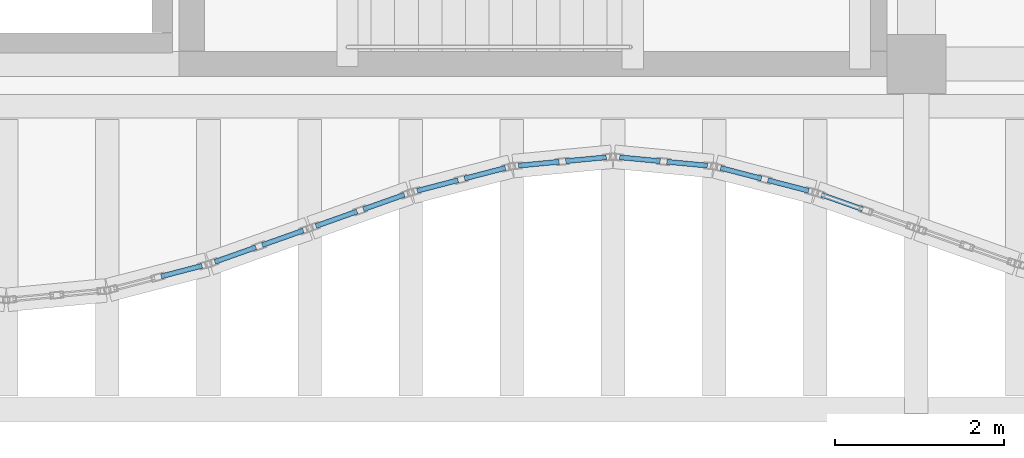
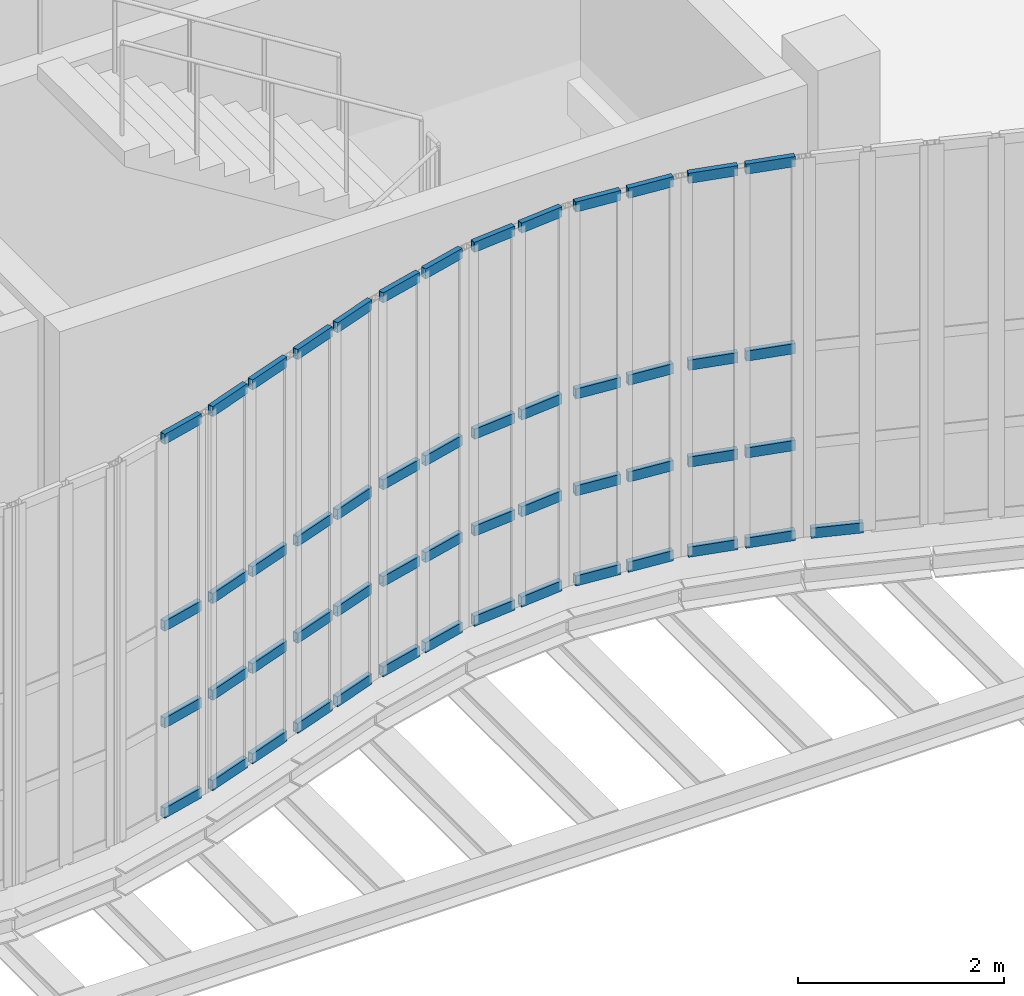
# One storey, part 62 of 108: 53 members, 8 elements without a shape of their own.
"""IFC4 building model written with IfcOpenShell, lengths in metres."""

from ifc_helpers import new_model, si_unit, direction, frame, origin, origin_2d, place, context, subcontext, project, spatial, hollow_rectangle, extrude, material, layer, layer_set, material_profile, profile_set, type_object, element, aggregate, save


model = new_model("IFC4")

# Units and contexts
model_context = context("Model", 3, precision=1e-05, world=origin(), true_north=direction((0.0, 1.0)))
body_context = subcontext(model_context, "Body", "Model", "MODEL_VIEW")
ifc_project = project(units=[si_unit("LENGTHUNIT", "METRE"), si_unit("AREAUNIT", "SQUARE_METRE"), si_unit("VOLUMEUNIT", "CUBIC_METRE"), si_unit("PLANEANGLEUNIT", "RADIAN"), si_unit("MASSUNIT", "GRAM", prefix="KILO"), si_unit("THERMODYNAMICTEMPERATUREUNIT", "KELVIN"), si_unit("POWERUNIT", "WATT")], contexts=[model_context])

# Site, building, storey
site_placement = place(None, origin())
site = spatial("IfcSite", under=ifc_project, at=site_placement, CompositionType="ELEMENT")
building_placement = place(site_placement, origin())
building = spatial("IfcBuilding", under=site, at=building_placement, Name="Kaldorven Railside Theatre", CompositionType="ELEMENT")
storey_placement = place(building_placement, frame((0.0, 0.0, 5.39990234375)))
storey = spatial("IfcBuildingStorey", under=building, at=storey_placement, Name="L01", CompositionType="ELEMENT", Elevation=5.39990234375)

# Curtain wall, members
ifc_material_1 = material(Name="Low-E laminated solar-control glass", Category="glass")
ifc_layer_1 = layer(ifc_material_1, 0.159912109375, Name="Low-E laminated solar-control glass")
ifc_layer_set_1 = layer_set([ifc_layer_1], Name="Low-E laminated solar-control glass")
curtain_wall_type_1 = type_object("IfcCurtainWallType", Name="CWT-02", PredefinedType="USERDEFINED", material=ifc_layer_set_1)
curtain_wall_1_placement = place(storey_placement, origin())
curtain_wall_1 = element("IfcCurtainWall", 1, at=curtain_wall_1_placement, inside=storey, type_object=curtain_wall_type_1, Name="Sinusoidal Fluted Curtain Wall CW-L01-S59", ObjectType="FLUTED GLAZING", PredefinedType="USERDEFINED")
ifc_material_2 = material(Name="Anodised bronze aluminium", Category="aluminium")
ifc_material_profile = material_profile(ifc_material_2, hollow_rectangle(XDim=0.06005859375, YDim=0.1201171875, WallThickness=0.0048828125, at=origin_2d()), Name="RHS 120x60x5")
ifc_profile_set = profile_set([ifc_material_profile], Name="Anodised bronze aluminium")
member_type = type_object("IfcMemberType", Name="CWT-120", PredefinedType="USERDEFINED", material=ifc_profile_set)
member_1_placement = place(storey_placement, frame((107.038818359375, 16.679443359375, 0.030029296875), z_axis=(0.967948521016, 0.251148682384, 0.0), x_axis=(-0.251148682384, 0.967948521016, 0.0)))
member_1 = element("IfcMember", 2, at=member_1_placement, type_object=member_type, Name="CW-L01-S59 transom 2.1", ObjectType="TRANSOM", PredefinedType="USERDEFINED", context=body_context, shape_type="SweptSolid", body=[
    extrude(hollow_rectangle(XDim=0.06005859375, YDim=0.1201171875, WallThickness=0.0048828125, at=origin_2d()), origin(), (0.0, 0.0, 1.0), 0.499755859375),
])
member_2_placement = place(storey_placement, frame((107.038818359375, 16.679443359375, 1.10009765625), z_axis=(0.967948521016, 0.251148682384, 0.0), x_axis=(-0.251148682384, 0.967948521016, 0.0)))
member_2 = element("IfcMember", 3, at=member_2_placement, type_object=member_type, Name="CW-L01-S59 transom 2.2", ObjectType="TRANSOM", PredefinedType="USERDEFINED", context=body_context, shape_type="SweptSolid", body=[
    extrude(hollow_rectangle(XDim=0.06005859375, YDim=0.1201171875, WallThickness=0.0048828125, at=origin_2d()), origin(), (0.0, 0.0, 1.0), 0.499755859375),
])
member_3_placement = place(storey_placement, frame((107.038818359375, 16.679443359375, 2.25), z_axis=(0.967948521016, 0.251148682384, 0.0), x_axis=(-0.251148682384, 0.967948521016, 0.0)))
member_3 = element("IfcMember", 4, at=member_3_placement, type_object=member_type, Name="CW-L01-S59 transom 2.3", ObjectType="TRANSOM", PredefinedType="USERDEFINED", context=body_context, shape_type="SweptSolid", body=[
    extrude(hollow_rectangle(XDim=0.06005859375, YDim=0.1201171875, WallThickness=0.0048828125, at=origin_2d()), origin(), (0.0, 0.0, 1.0), 0.499755859375),
])
member_4_placement = place(storey_placement, frame((107.038818359375, 16.679443359375, 4.47021484375), z_axis=(0.967948521016, 0.251148682384, 0.0), x_axis=(-0.251148682384, 0.967948521016, 0.0)))
member_4 = element("IfcMember", 5, at=member_4_placement, type_object=member_type, Name="CW-L01-S59 transom 2.4", ObjectType="TRANSOM", PredefinedType="USERDEFINED", context=body_context, shape_type="SweptSolid", body=[
    extrude(hollow_rectangle(XDim=0.06005859375, YDim=0.1201171875, WallThickness=0.0048828125, at=origin_2d()), origin(), (0.0, 0.0, 1.0), 0.499755859375),
])
aggregate(curtain_wall_1, [member_1, member_2, member_3, member_4])

ifc_layer_2 = layer(ifc_material_1, 0.159912109375, Name="Low-E laminated solar-control glass")
ifc_layer_set_2 = layer_set([ifc_layer_2], Name="Low-E laminated solar-control glass")
curtain_wall_type_2 = type_object("IfcCurtainWallType", Name="CWT-01", PredefinedType="USERDEFINED", material=ifc_layer_set_2)
curtain_wall_2_placement = place(storey_placement, origin())
curtain_wall_2 = element("IfcCurtainWall", 6, at=curtain_wall_2_placement, inside=storey, type_object=curtain_wall_type_2, Name="Sinusoidal Fluted Curtain Wall CW-L01-S60", ObjectType="FLUTED GLAZING", PredefinedType="USERDEFINED")
member_5_placement = place(storey_placement, frame((107.67529296875, 16.851806640625, 0.030029296875), z_axis=(0.942710841688, 0.333610954502, 0.0), x_axis=(-0.333610954502, 0.942710841688, 0.0)))
member_5 = element("IfcMember", 7, at=member_5_placement, type_object=member_type, Name="CW-L01-S60 transom 1.1", ObjectType="TRANSOM", PredefinedType="USERDEFINED", context=body_context, shape_type="SweptSolid", body=[
    extrude(hollow_rectangle(XDim=0.06005859375, YDim=0.1201171875, WallThickness=0.0048828125, at=origin_2d()), origin(), (0.0, 0.0, 1.0), 0.5166015625),
])
member_6_placement = place(storey_placement, frame((107.67529296875, 16.851806640625, 1.10009765625), z_axis=(0.942710841688, 0.333610954502, 0.0), x_axis=(-0.333610954502, 0.942710841688, 0.0)))
member_6 = element("IfcMember", 8, at=member_6_placement, type_object=member_type, Name="CW-L01-S60 transom 1.2", ObjectType="TRANSOM", PredefinedType="USERDEFINED", context=body_context, shape_type="SweptSolid", body=[
    extrude(hollow_rectangle(XDim=0.06005859375, YDim=0.1201171875, WallThickness=0.0048828125, at=origin_2d()), origin(), (0.0, 0.0, 1.0), 0.5166015625),
])
member_7_placement = place(storey_placement, frame((107.67529296875, 16.851806640625, 2.25), z_axis=(0.942710841688, 0.333610954502, 0.0), x_axis=(-0.333610954502, 0.942710841688, 0.0)))
member_7 = element("IfcMember", 9, at=member_7_placement, type_object=member_type, Name="CW-L01-S60 transom 1.3", ObjectType="TRANSOM", PredefinedType="USERDEFINED", context=body_context, shape_type="SweptSolid", body=[
    extrude(hollow_rectangle(XDim=0.06005859375, YDim=0.1201171875, WallThickness=0.0048828125, at=origin_2d()), origin(), (0.0, 0.0, 1.0), 0.5166015625),
])
member_8_placement = place(storey_placement, frame((107.67529296875, 16.851806640625, 4.47021484375), z_axis=(0.942710841688, 0.333610954502, 0.0), x_axis=(-0.333610954502, 0.942710841688, 0.0)))
member_8 = element("IfcMember", 10, at=member_8_placement, type_object=member_type, Name="CW-L01-S60 transom 1.4", ObjectType="TRANSOM", PredefinedType="USERDEFINED", context=body_context, shape_type="SweptSolid", body=[
    extrude(hollow_rectangle(XDim=0.06005859375, YDim=0.1201171875, WallThickness=0.0048828125, at=origin_2d()), origin(), (0.0, 0.0, 1.0), 0.5166015625),
])
member_9_placement = place(storey_placement, frame((108.23779296875, 17.05078125, 0.030029296875), z_axis=(0.942509408488, 0.334179614745, 0.0), x_axis=(-0.334179614745, 0.942509408488, 0.0)))
member_9 = element("IfcMember", 11, at=member_9_placement, type_object=member_type, Name="CW-L01-S60 transom 2.1", ObjectType="TRANSOM", PredefinedType="USERDEFINED", context=body_context, shape_type="SweptSolid", body=[
    extrude(hollow_rectangle(XDim=0.06005859375, YDim=0.1201171875, WallThickness=0.0048828125, at=origin_2d()), origin(), (0.0, 0.0, 1.0), 0.5166015625),
])
member_10_placement = place(storey_placement, frame((108.23779296875, 17.05078125, 1.10009765625), z_axis=(0.942509408488, 0.334179614745, 0.0), x_axis=(-0.334179614745, 0.942509408488, 0.0)))
member_10 = element("IfcMember", 12, at=member_10_placement, type_object=member_type, Name="CW-L01-S60 transom 2.2", ObjectType="TRANSOM", PredefinedType="USERDEFINED", context=body_context, shape_type="SweptSolid", body=[
    extrude(hollow_rectangle(XDim=0.06005859375, YDim=0.1201171875, WallThickness=0.0048828125, at=origin_2d()), origin(), (0.0, 0.0, 1.0), 0.5166015625),
])
member_11_placement = place(storey_placement, frame((108.23779296875, 17.05078125, 2.25), z_axis=(0.942509408488, 0.334179614745, 0.0), x_axis=(-0.334179614745, 0.942509408488, 0.0)))
member_11 = element("IfcMember", 13, at=member_11_placement, type_object=member_type, Name="CW-L01-S60 transom 2.3", ObjectType="TRANSOM", PredefinedType="USERDEFINED", context=body_context, shape_type="SweptSolid", body=[
    extrude(hollow_rectangle(XDim=0.06005859375, YDim=0.1201171875, WallThickness=0.0048828125, at=origin_2d()), origin(), (0.0, 0.0, 1.0), 0.5166015625),
])
member_12_placement = place(storey_placement, frame((108.23779296875, 17.05078125, 4.47021484375), z_axis=(0.942509408488, 0.334179614745, 0.0), x_axis=(-0.334179614745, 0.942509408488, 0.0)))
member_12 = element("IfcMember", 14, at=member_12_placement, type_object=member_type, Name="CW-L01-S60 transom 2.4", ObjectType="TRANSOM", PredefinedType="USERDEFINED", context=body_context, shape_type="SweptSolid", body=[
    extrude(hollow_rectangle(XDim=0.06005859375, YDim=0.1201171875, WallThickness=0.0048828125, at=origin_2d()), origin(), (0.0, 0.0, 1.0), 0.5166015625),
])
aggregate(curtain_wall_2, [member_5, member_6, member_7, member_8, member_9, member_10, member_11, member_12])

curtain_wall_3_placement = place(storey_placement, origin())
curtain_wall_3 = element("IfcCurtainWall", 15, at=curtain_wall_3_placement, inside=storey, type_object=curtain_wall_type_2, Name="Sinusoidal Fluted Curtain Wall CW-L01-S61", ObjectType="FLUTED GLAZING", PredefinedType="USERDEFINED")
member_13_placement = place(storey_placement, frame((108.87548828125, 17.276611328125, 0.030029296875), z_axis=(0.942509408488, 0.334179614745, 0.0), x_axis=(-0.334179614745, 0.942509408488, 0.0)))
member_13 = element("IfcMember", 16, at=member_13_placement, type_object=member_type, Name="CW-L01-S61 transom 1.1", ObjectType="TRANSOM", PredefinedType="USERDEFINED", context=body_context, shape_type="SweptSolid", body=[
    extrude(hollow_rectangle(XDim=0.06005859375, YDim=0.1201171875, WallThickness=0.0048828125, at=origin_2d()), origin(), (0.0, 0.0, 1.0), 0.5166015625),
])
member_14_placement = place(storey_placement, frame((108.87548828125, 17.276611328125, 1.10009765625), z_axis=(0.942509408488, 0.334179614745, 0.0), x_axis=(-0.334179614745, 0.942509408488, 0.0)))
member_14 = element("IfcMember", 17, at=member_14_placement, type_object=member_type, Name="CW-L01-S61 transom 1.2", ObjectType="TRANSOM", PredefinedType="USERDEFINED", context=body_context, shape_type="SweptSolid", body=[
    extrude(hollow_rectangle(XDim=0.06005859375, YDim=0.1201171875, WallThickness=0.0048828125, at=origin_2d()), origin(), (0.0, 0.0, 1.0), 0.5166015625),
])
member_15_placement = place(storey_placement, frame((108.87548828125, 17.276611328125, 2.25), z_axis=(0.942509408488, 0.334179614745, 0.0), x_axis=(-0.334179614745, 0.942509408488, 0.0)))
member_15 = element("IfcMember", 18, at=member_15_placement, type_object=member_type, Name="CW-L01-S61 transom 1.3", ObjectType="TRANSOM", PredefinedType="USERDEFINED", context=body_context, shape_type="SweptSolid", body=[
    extrude(hollow_rectangle(XDim=0.06005859375, YDim=0.1201171875, WallThickness=0.0048828125, at=origin_2d()), origin(), (0.0, 0.0, 1.0), 0.5166015625),
])
member_16_placement = place(storey_placement, frame((108.87548828125, 17.276611328125, 4.47021484375), z_axis=(0.942509408488, 0.334179614745, 0.0), x_axis=(-0.334179614745, 0.942509408488, 0.0)))
member_16 = element("IfcMember", 19, at=member_16_placement, type_object=member_type, Name="CW-L01-S61 transom 1.4", ObjectType="TRANSOM", PredefinedType="USERDEFINED", context=body_context, shape_type="SweptSolid", body=[
    extrude(hollow_rectangle(XDim=0.06005859375, YDim=0.1201171875, WallThickness=0.0048828125, at=origin_2d()), origin(), (0.0, 0.0, 1.0), 0.5166015625),
])
member_17_placement = place(storey_placement, frame((109.437744140625, 17.475830078125, 0.030029296875), z_axis=(0.942658214948, 0.333759628763, 0.0), x_axis=(-0.333759628763, 0.942658214948, 0.0)))
member_17 = element("IfcMember", 20, at=member_17_placement, type_object=member_type, Name="CW-L01-S61 transom 2.1", ObjectType="TRANSOM", PredefinedType="USERDEFINED", context=body_context, shape_type="SweptSolid", body=[
    extrude(hollow_rectangle(XDim=0.06005859375, YDim=0.1201171875, WallThickness=0.0048828125, at=origin_2d()), origin(), (0.0, 0.0, 1.0), 0.516357421875),
])
member_18_placement = place(storey_placement, frame((109.437744140625, 17.475830078125, 1.10009765625), z_axis=(0.942658214948, 0.333759628763, 0.0), x_axis=(-0.333759628763, 0.942658214948, 0.0)))
member_18 = element("IfcMember", 21, at=member_18_placement, type_object=member_type, Name="CW-L01-S61 transom 2.2", ObjectType="TRANSOM", PredefinedType="USERDEFINED", context=body_context, shape_type="SweptSolid", body=[
    extrude(hollow_rectangle(XDim=0.06005859375, YDim=0.1201171875, WallThickness=0.0048828125, at=origin_2d()), origin(), (0.0, 0.0, 1.0), 0.516357421875),
])
member_19_placement = place(storey_placement, frame((109.437744140625, 17.475830078125, 2.25), z_axis=(0.942658214948, 0.333759628763, 0.0), x_axis=(-0.333759628763, 0.942658214948, 0.0)))
member_19 = element("IfcMember", 22, at=member_19_placement, type_object=member_type, Name="CW-L01-S61 transom 2.3", ObjectType="TRANSOM", PredefinedType="USERDEFINED", context=body_context, shape_type="SweptSolid", body=[
    extrude(hollow_rectangle(XDim=0.06005859375, YDim=0.1201171875, WallThickness=0.0048828125, at=origin_2d()), origin(), (0.0, 0.0, 1.0), 0.516357421875),
])
member_20_placement = place(storey_placement, frame((109.437744140625, 17.475830078125, 4.47021484375), z_axis=(0.942658214948, 0.333759628763, 0.0), x_axis=(-0.333759628763, 0.942658214948, 0.0)))
member_20 = element("IfcMember", 23, at=member_20_placement, type_object=member_type, Name="CW-L01-S61 transom 2.4", ObjectType="TRANSOM", PredefinedType="USERDEFINED", context=body_context, shape_type="SweptSolid", body=[
    extrude(hollow_rectangle(XDim=0.06005859375, YDim=0.1201171875, WallThickness=0.0048828125, at=origin_2d()), origin(), (0.0, 0.0, 1.0), 0.516357421875),
])
aggregate(curtain_wall_3, [member_13, member_14, member_15, member_16, member_17, member_18, member_19, member_20])

curtain_wall_4_placement = place(storey_placement, origin())
curtain_wall_4 = element("IfcCurtainWall", 24, at=curtain_wall_4_placement, inside=storey, type_object=curtain_wall_type_1, Name="Sinusoidal Fluted Curtain Wall CW-L01-S62", ObjectType="FLUTED GLAZING", PredefinedType="USERDEFINED")
member_21_placement = place(storey_placement, frame((110.077392578125, 17.695068359375, 0.030029296875), z_axis=(0.967979318949, 0.251029954561, 0.0), x_axis=(-0.251029954561, 0.967979318949, 0.0)))
member_21 = element("IfcMember", 25, at=member_21_placement, type_object=member_type, Name="CW-L01-S62 transom 1.1", ObjectType="TRANSOM", PredefinedType="USERDEFINED", context=body_context, shape_type="SweptSolid", body=[
    extrude(hollow_rectangle(XDim=0.06005859375, YDim=0.1201171875, WallThickness=0.0048828125, at=origin_2d()), origin(), (0.0, 0.0, 1.0), 0.5),
])
member_22_placement = place(storey_placement, frame((110.077392578125, 17.695068359375, 1.10009765625), z_axis=(0.967979318949, 0.251029954561, 0.0), x_axis=(-0.251029954561, 0.967979318949, 0.0)))
member_22 = element("IfcMember", 26, at=member_22_placement, type_object=member_type, Name="CW-L01-S62 transom 1.2", ObjectType="TRANSOM", PredefinedType="USERDEFINED", context=body_context, shape_type="SweptSolid", body=[
    extrude(hollow_rectangle(XDim=0.06005859375, YDim=0.1201171875, WallThickness=0.0048828125, at=origin_2d()), origin(), (0.0, 0.0, 1.0), 0.5),
])
member_23_placement = place(storey_placement, frame((110.077392578125, 17.695068359375, 2.25), z_axis=(0.967979318949, 0.251029954561, 0.0), x_axis=(-0.251029954561, 0.967979318949, 0.0)))
member_23 = element("IfcMember", 27, at=member_23_placement, type_object=member_type, Name="CW-L01-S62 transom 1.3", ObjectType="TRANSOM", PredefinedType="USERDEFINED", context=body_context, shape_type="SweptSolid", body=[
    extrude(hollow_rectangle(XDim=0.06005859375, YDim=0.1201171875, WallThickness=0.0048828125, at=origin_2d()), origin(), (0.0, 0.0, 1.0), 0.5),
])
member_24_placement = place(storey_placement, frame((110.077392578125, 17.695068359375, 4.47021484375), z_axis=(0.967979318949, 0.251029954561, 0.0), x_axis=(-0.251029954561, 0.967979318949, 0.0)))
member_24 = element("IfcMember", 28, at=member_24_placement, type_object=member_type, Name="CW-L01-S62 transom 1.4", ObjectType="TRANSOM", PredefinedType="USERDEFINED", context=body_context, shape_type="SweptSolid", body=[
    extrude(hollow_rectangle(XDim=0.06005859375, YDim=0.1201171875, WallThickness=0.0048828125, at=origin_2d()), origin(), (0.0, 0.0, 1.0), 0.5),
])
member_25_placement = place(storey_placement, frame((110.638671875, 17.840576171875, 0.030029296875), z_axis=(0.967979318949, 0.251029954561, 0.0), x_axis=(-0.251029954561, 0.967979318949, 0.0)))
member_25 = element("IfcMember", 29, at=member_25_placement, type_object=member_type, Name="CW-L01-S62 transom 2.1", ObjectType="TRANSOM", PredefinedType="USERDEFINED", context=body_context, shape_type="SweptSolid", body=[
    extrude(hollow_rectangle(XDim=0.06005859375, YDim=0.1201171875, WallThickness=0.0048828125, at=origin_2d()), origin(), (0.0, 0.0, 1.0), 0.5),
])
member_26_placement = place(storey_placement, frame((110.638671875, 17.840576171875, 1.10009765625), z_axis=(0.967979318949, 0.251029954561, 0.0), x_axis=(-0.251029954561, 0.967979318949, 0.0)))
member_26 = element("IfcMember", 30, at=member_26_placement, type_object=member_type, Name="CW-L01-S62 transom 2.2", ObjectType="TRANSOM", PredefinedType="USERDEFINED", context=body_context, shape_type="SweptSolid", body=[
    extrude(hollow_rectangle(XDim=0.06005859375, YDim=0.1201171875, WallThickness=0.0048828125, at=origin_2d()), origin(), (0.0, 0.0, 1.0), 0.5),
])
member_27_placement = place(storey_placement, frame((110.638671875, 17.840576171875, 2.25), z_axis=(0.967979318949, 0.251029954561, 0.0), x_axis=(-0.251029954561, 0.967979318949, 0.0)))
member_27 = element("IfcMember", 31, at=member_27_placement, type_object=member_type, Name="CW-L01-S62 transom 2.3", ObjectType="TRANSOM", PredefinedType="USERDEFINED", context=body_context, shape_type="SweptSolid", body=[
    extrude(hollow_rectangle(XDim=0.06005859375, YDim=0.1201171875, WallThickness=0.0048828125, at=origin_2d()), origin(), (0.0, 0.0, 1.0), 0.5),
])
member_28_placement = place(storey_placement, frame((110.638671875, 17.840576171875, 4.47021484375), z_axis=(0.967979318949, 0.251029954561, 0.0), x_axis=(-0.251029954561, 0.967979318949, 0.0)))
member_28 = element("IfcMember", 32, at=member_28_placement, type_object=member_type, Name="CW-L01-S62 transom 2.4", ObjectType="TRANSOM", PredefinedType="USERDEFINED", context=body_context, shape_type="SweptSolid", body=[
    extrude(hollow_rectangle(XDim=0.06005859375, YDim=0.1201171875, WallThickness=0.0048828125, at=origin_2d()), origin(), (0.0, 0.0, 1.0), 0.5),
])
aggregate(curtain_wall_4, [member_21, member_22, member_23, member_24, member_25, member_26, member_27, member_28])

ifc_layer_3 = layer(ifc_material_1, 0.159912109375, Name="Low-E laminated solar-control glass")
ifc_layer_set_3 = layer_set([ifc_layer_3], Name="Low-E laminated solar-control glass")
curtain_wall_type_3 = type_object("IfcCurtainWallType", Name="CWT-03", PredefinedType="USERDEFINED", material=ifc_layer_set_3)
curtain_wall_5_placement = place(storey_placement, origin())
curtain_wall_5 = element("IfcCurtainWall", 33, at=curtain_wall_5_placement, inside=storey, type_object=curtain_wall_type_3, Name="Sinusoidal Fluted Curtain Wall CW-L01-S63", ObjectType="FLUTED GLAZING", PredefinedType="USERDEFINED")
member_29_placement = place(storey_placement, frame((111.279541015625, 17.99365234375, 0.030029296875), z_axis=(0.995520433802, 0.094546633378, 0.0), x_axis=(-0.094546633378, 0.995520433802, 0.0)))
member_29 = element("IfcMember", 34, at=member_29_placement, type_object=member_type, Name="CW-L01-S63 transom 1.1", ObjectType="TRANSOM", PredefinedType="USERDEFINED", context=body_context, shape_type="SweptSolid", body=[
    extrude(hollow_rectangle(XDim=0.06005859375, YDim=0.1201171875, WallThickness=0.0048828125, at=origin_2d()), origin(), (0.0, 0.0, 1.0), 0.48291015625),
])
member_30_placement = place(storey_placement, frame((111.279541015625, 17.99365234375, 1.10009765625), z_axis=(0.995520433802, 0.094546633378, 0.0), x_axis=(-0.094546633378, 0.995520433802, 0.0)))
member_30 = element("IfcMember", 35, at=member_30_placement, type_object=member_type, Name="CW-L01-S63 transom 1.2", ObjectType="TRANSOM", PredefinedType="USERDEFINED", context=body_context, shape_type="SweptSolid", body=[
    extrude(hollow_rectangle(XDim=0.06005859375, YDim=0.1201171875, WallThickness=0.0048828125, at=origin_2d()), origin(), (0.0, 0.0, 1.0), 0.48291015625),
])
member_31_placement = place(storey_placement, frame((111.279541015625, 17.99365234375, 2.25), z_axis=(0.995520433802, 0.094546633378, 0.0), x_axis=(-0.094546633378, 0.995520433802, 0.0)))
member_31 = element("IfcMember", 36, at=member_31_placement, type_object=member_type, Name="CW-L01-S63 transom 1.3", ObjectType="TRANSOM", PredefinedType="USERDEFINED", context=body_context, shape_type="SweptSolid", body=[
    extrude(hollow_rectangle(XDim=0.06005859375, YDim=0.1201171875, WallThickness=0.0048828125, at=origin_2d()), origin(), (0.0, 0.0, 1.0), 0.48291015625),
])
member_32_placement = place(storey_placement, frame((111.279541015625, 17.99365234375, 4.47021484375), z_axis=(0.995520433802, 0.094546633378, 0.0), x_axis=(-0.094546633378, 0.995520433802, 0.0)))
member_32 = element("IfcMember", 37, at=member_32_placement, type_object=member_type, Name="CW-L01-S63 transom 1.4", ObjectType="TRANSOM", PredefinedType="USERDEFINED", context=body_context, shape_type="SweptSolid", body=[
    extrude(hollow_rectangle(XDim=0.06005859375, YDim=0.1201171875, WallThickness=0.0048828125, at=origin_2d()), origin(), (0.0, 0.0, 1.0), 0.48291015625),
])
member_33_placement = place(storey_placement, frame((111.83984375, 18.046875, 0.030029296875), z_axis=(0.995515910823, 0.094594245591, 0.0), x_axis=(-0.094594245591, 0.995515910823, 0.0)))
member_33 = element("IfcMember", 38, at=member_33_placement, type_object=member_type, Name="CW-L01-S63 transom 2.1", ObjectType="TRANSOM", PredefinedType="USERDEFINED", context=body_context, shape_type="SweptSolid", body=[
    extrude(hollow_rectangle(XDim=0.06005859375, YDim=0.1201171875, WallThickness=0.0048828125, at=origin_2d()), origin(), (0.0, 0.0, 1.0), 0.482666015625),
])
member_34_placement = place(storey_placement, frame((111.83984375, 18.046875, 1.10009765625), z_axis=(0.995515910823, 0.094594245591, 0.0), x_axis=(-0.094594245591, 0.995515910823, 0.0)))
member_34 = element("IfcMember", 39, at=member_34_placement, type_object=member_type, Name="CW-L01-S63 transom 2.2", ObjectType="TRANSOM", PredefinedType="USERDEFINED", context=body_context, shape_type="SweptSolid", body=[
    extrude(hollow_rectangle(XDim=0.06005859375, YDim=0.1201171875, WallThickness=0.0048828125, at=origin_2d()), origin(), (0.0, 0.0, 1.0), 0.482666015625),
])
member_35_placement = place(storey_placement, frame((111.83984375, 18.046875, 2.25), z_axis=(0.995515910823, 0.094594245591, 0.0), x_axis=(-0.094594245591, 0.995515910823, 0.0)))
member_35 = element("IfcMember", 40, at=member_35_placement, type_object=member_type, Name="CW-L01-S63 transom 2.3", ObjectType="TRANSOM", PredefinedType="USERDEFINED", context=body_context, shape_type="SweptSolid", body=[
    extrude(hollow_rectangle(XDim=0.06005859375, YDim=0.1201171875, WallThickness=0.0048828125, at=origin_2d()), origin(), (0.0, 0.0, 1.0), 0.482666015625),
])
member_36_placement = place(storey_placement, frame((111.83984375, 18.046875, 4.47021484375), z_axis=(0.995515910823, 0.094594245591, 0.0), x_axis=(-0.094594245591, 0.995515910823, 0.0)))
member_36 = element("IfcMember", 41, at=member_36_placement, type_object=member_type, Name="CW-L01-S63 transom 2.4", ObjectType="TRANSOM", PredefinedType="USERDEFINED", context=body_context, shape_type="SweptSolid", body=[
    extrude(hollow_rectangle(XDim=0.06005859375, YDim=0.1201171875, WallThickness=0.0048828125, at=origin_2d()), origin(), (0.0, 0.0, 1.0), 0.482666015625),
])
aggregate(curtain_wall_5, [member_29, member_30, member_31, member_32, member_33, member_34, member_35, member_36])

curtain_wall_6_placement = place(storey_placement, origin())
curtain_wall_6 = element("IfcCurtainWall", 42, at=curtain_wall_6_placement, inside=storey, type_object=curtain_wall_type_3, Name="Sinusoidal Fluted Curtain Wall CW-L01-S64", ObjectType="FLUTED GLAZING", PredefinedType="USERDEFINED")
member_37_placement = place(storey_placement, frame((112.479736328125, 18.092529296875, 0.030029296875), z_axis=(0.995515910823, -0.094594245591, 0.0), x_axis=(0.094594245591, 0.995515910823, 0.0)))
member_37 = element("IfcMember", 43, at=member_37_placement, type_object=member_type, Name="CW-L01-S64 transom 1.1", ObjectType="TRANSOM", PredefinedType="USERDEFINED", context=body_context, shape_type="SweptSolid", body=[
    extrude(hollow_rectangle(XDim=0.06005859375, YDim=0.1201171875, WallThickness=0.0048828125, at=origin_2d()), origin(), (0.0, 0.0, 1.0), 0.482666015625),
])
member_38_placement = place(storey_placement, frame((112.479736328125, 18.092529296875, 1.10009765625), z_axis=(0.995515910823, -0.094594245591, 0.0), x_axis=(0.094594245591, 0.995515910823, 0.0)))
member_38 = element("IfcMember", 44, at=member_38_placement, type_object=member_type, Name="CW-L01-S64 transom 1.2", ObjectType="TRANSOM", PredefinedType="USERDEFINED", context=body_context, shape_type="SweptSolid", body=[
    extrude(hollow_rectangle(XDim=0.06005859375, YDim=0.1201171875, WallThickness=0.0048828125, at=origin_2d()), origin(), (0.0, 0.0, 1.0), 0.482666015625),
])
member_39_placement = place(storey_placement, frame((112.479736328125, 18.092529296875, 2.25), z_axis=(0.995515910823, -0.094594245591, 0.0), x_axis=(0.094594245591, 0.995515910823, 0.0)))
member_39 = element("IfcMember", 45, at=member_39_placement, type_object=member_type, Name="CW-L01-S64 transom 1.3", ObjectType="TRANSOM", PredefinedType="USERDEFINED", context=body_context, shape_type="SweptSolid", body=[
    extrude(hollow_rectangle(XDim=0.06005859375, YDim=0.1201171875, WallThickness=0.0048828125, at=origin_2d()), origin(), (0.0, 0.0, 1.0), 0.482666015625),
])
member_40_placement = place(storey_placement, frame((112.479736328125, 18.092529296875, 4.47021484375), z_axis=(0.995515910823, -0.094594245591, 0.0), x_axis=(0.094594245591, 0.995515910823, 0.0)))
member_40 = element("IfcMember", 46, at=member_40_placement, type_object=member_type, Name="CW-L01-S64 transom 1.4", ObjectType="TRANSOM", PredefinedType="USERDEFINED", context=body_context, shape_type="SweptSolid", body=[
    extrude(hollow_rectangle(XDim=0.06005859375, YDim=0.1201171875, WallThickness=0.0048828125, at=origin_2d()), origin(), (0.0, 0.0, 1.0), 0.482666015625),
])
member_41_placement = place(storey_placement, frame((113.039794921875, 18.039306640625, 0.030029296875), z_axis=(0.995515910823, -0.094594245591, 0.0), x_axis=(0.094594245591, 0.995515910823, 0.0)))
member_41 = element("IfcMember", 47, at=member_41_placement, type_object=member_type, Name="CW-L01-S64 transom 2.1", ObjectType="TRANSOM", PredefinedType="USERDEFINED", context=body_context, shape_type="SweptSolid", body=[
    extrude(hollow_rectangle(XDim=0.06005859375, YDim=0.1201171875, WallThickness=0.0048828125, at=origin_2d()), origin(), (0.0, 0.0, 1.0), 0.482666015625),
])
member_42_placement = place(storey_placement, frame((113.039794921875, 18.039306640625, 1.10009765625), z_axis=(0.995515910823, -0.094594245591, 0.0), x_axis=(0.094594245591, 0.995515910823, 0.0)))
member_42 = element("IfcMember", 48, at=member_42_placement, type_object=member_type, Name="CW-L01-S64 transom 2.2", ObjectType="TRANSOM", PredefinedType="USERDEFINED", context=body_context, shape_type="SweptSolid", body=[
    extrude(hollow_rectangle(XDim=0.06005859375, YDim=0.1201171875, WallThickness=0.0048828125, at=origin_2d()), origin(), (0.0, 0.0, 1.0), 0.482666015625),
])
member_43_placement = place(storey_placement, frame((113.039794921875, 18.039306640625, 2.25), z_axis=(0.995515910823, -0.094594245591, 0.0), x_axis=(0.094594245591, 0.995515910823, 0.0)))
member_43 = element("IfcMember", 49, at=member_43_placement, type_object=member_type, Name="CW-L01-S64 transom 2.3", ObjectType="TRANSOM", PredefinedType="USERDEFINED", context=body_context, shape_type="SweptSolid", body=[
    extrude(hollow_rectangle(XDim=0.06005859375, YDim=0.1201171875, WallThickness=0.0048828125, at=origin_2d()), origin(), (0.0, 0.0, 1.0), 0.482666015625),
])
member_44_placement = place(storey_placement, frame((113.039794921875, 18.039306640625, 4.47021484375), z_axis=(0.995515910823, -0.094594245591, 0.0), x_axis=(0.094594245591, 0.995515910823, 0.0)))
member_44 = element("IfcMember", 50, at=member_44_placement, type_object=member_type, Name="CW-L01-S64 transom 2.4", ObjectType="TRANSOM", PredefinedType="USERDEFINED", context=body_context, shape_type="SweptSolid", body=[
    extrude(hollow_rectangle(XDim=0.06005859375, YDim=0.1201171875, WallThickness=0.0048828125, at=origin_2d()), origin(), (0.0, 0.0, 1.0), 0.482666015625),
])
aggregate(curtain_wall_6, [member_37, member_38, member_39, member_40, member_41, member_42, member_43, member_44])

curtain_wall_7_placement = place(storey_placement, origin())
curtain_wall_7 = element("IfcCurtainWall", 51, at=curtain_wall_7_placement, inside=storey, type_object=curtain_wall_type_1, Name="Sinusoidal Fluted Curtain Wall CW-L01-S65", ObjectType="FLUTED GLAZING", PredefinedType="USERDEFINED")
member_45_placement = place(storey_placement, frame((113.677490234375, 17.966064453125, 0.030029296875), z_axis=(0.967979318949, -0.251029954561, 0.0), x_axis=(0.251029954561, 0.967979318949, 0.0)))
member_45 = element("IfcMember", 52, at=member_45_placement, type_object=member_type, Name="CW-L01-S65 transom 1.1", ObjectType="TRANSOM", PredefinedType="USERDEFINED", context=body_context, shape_type="SweptSolid", body=[
    extrude(hollow_rectangle(XDim=0.06005859375, YDim=0.1201171875, WallThickness=0.0048828125, at=origin_2d()), origin(), (0.0, 0.0, 1.0), 0.5),
])
member_46_placement = place(storey_placement, frame((113.677490234375, 17.966064453125, 1.10009765625), z_axis=(0.967979318949, -0.251029954561, 0.0), x_axis=(0.251029954561, 0.967979318949, 0.0)))
member_46 = element("IfcMember", 53, at=member_46_placement, type_object=member_type, Name="CW-L01-S65 transom 1.2", ObjectType="TRANSOM", PredefinedType="USERDEFINED", context=body_context, shape_type="SweptSolid", body=[
    extrude(hollow_rectangle(XDim=0.06005859375, YDim=0.1201171875, WallThickness=0.0048828125, at=origin_2d()), origin(), (0.0, 0.0, 1.0), 0.5),
])
member_47_placement = place(storey_placement, frame((113.677490234375, 17.966064453125, 2.25), z_axis=(0.967979318949, -0.251029954561, 0.0), x_axis=(0.251029954561, 0.967979318949, 0.0)))
member_47 = element("IfcMember", 54, at=member_47_placement, type_object=member_type, Name="CW-L01-S65 transom 1.3", ObjectType="TRANSOM", PredefinedType="USERDEFINED", context=body_context, shape_type="SweptSolid", body=[
    extrude(hollow_rectangle(XDim=0.06005859375, YDim=0.1201171875, WallThickness=0.0048828125, at=origin_2d()), origin(), (0.0, 0.0, 1.0), 0.5),
])
member_48_placement = place(storey_placement, frame((113.677490234375, 17.966064453125, 4.47021484375), z_axis=(0.967979318949, -0.251029954561, 0.0), x_axis=(0.251029954561, 0.967979318949, 0.0)))
member_48 = element("IfcMember", 55, at=member_48_placement, type_object=member_type, Name="CW-L01-S65 transom 1.4", ObjectType="TRANSOM", PredefinedType="USERDEFINED", context=body_context, shape_type="SweptSolid", body=[
    extrude(hollow_rectangle(XDim=0.06005859375, YDim=0.1201171875, WallThickness=0.0048828125, at=origin_2d()), origin(), (0.0, 0.0, 1.0), 0.5),
])
member_49_placement = place(storey_placement, frame((114.23876953125, 17.820556640625, 0.030029296875), z_axis=(0.967979318949, -0.251029954561, 0.0), x_axis=(0.251029954561, 0.967979318949, 0.0)))
member_49 = element("IfcMember", 56, at=member_49_placement, type_object=member_type, Name="CW-L01-S65 transom 2.1", ObjectType="TRANSOM", PredefinedType="USERDEFINED", context=body_context, shape_type="SweptSolid", body=[
    extrude(hollow_rectangle(XDim=0.06005859375, YDim=0.1201171875, WallThickness=0.0048828125, at=origin_2d()), origin(), (0.0, 0.0, 1.0), 0.5),
])
member_50_placement = place(storey_placement, frame((114.23876953125, 17.820556640625, 1.10009765625), z_axis=(0.967979318949, -0.251029954561, 0.0), x_axis=(0.251029954561, 0.967979318949, 0.0)))
member_50 = element("IfcMember", 57, at=member_50_placement, type_object=member_type, Name="CW-L01-S65 transom 2.2", ObjectType="TRANSOM", PredefinedType="USERDEFINED", context=body_context, shape_type="SweptSolid", body=[
    extrude(hollow_rectangle(XDim=0.06005859375, YDim=0.1201171875, WallThickness=0.0048828125, at=origin_2d()), origin(), (0.0, 0.0, 1.0), 0.5),
])
member_51_placement = place(storey_placement, frame((114.23876953125, 17.820556640625, 2.25), z_axis=(0.967979318949, -0.251029954561, 0.0), x_axis=(0.251029954561, 0.967979318949, 0.0)))
member_51 = element("IfcMember", 58, at=member_51_placement, type_object=member_type, Name="CW-L01-S65 transom 2.3", ObjectType="TRANSOM", PredefinedType="USERDEFINED", context=body_context, shape_type="SweptSolid", body=[
    extrude(hollow_rectangle(XDim=0.06005859375, YDim=0.1201171875, WallThickness=0.0048828125, at=origin_2d()), origin(), (0.0, 0.0, 1.0), 0.5),
])
member_52_placement = place(storey_placement, frame((114.23876953125, 17.820556640625, 4.47021484375), z_axis=(0.967979318949, -0.251029954561, 0.0), x_axis=(0.251029954561, 0.967979318949, 0.0)))
member_52 = element("IfcMember", 59, at=member_52_placement, type_object=member_type, Name="CW-L01-S65 transom 2.4", ObjectType="TRANSOM", PredefinedType="USERDEFINED", context=body_context, shape_type="SweptSolid", body=[
    extrude(hollow_rectangle(XDim=0.06005859375, YDim=0.1201171875, WallThickness=0.0048828125, at=origin_2d()), origin(), (0.0, 0.0, 1.0), 0.5),
])
aggregate(curtain_wall_7, [member_45, member_46, member_47, member_48, member_49, member_50, member_51, member_52])

# Curtain wall, member
curtain_wall_8_placement = place(storey_placement, origin())
curtain_wall_8 = element("IfcCurtainWall", 60, at=curtain_wall_8_placement, inside=storey, type_object=curtain_wall_type_2, Name="Sinusoidal Fluted Curtain Wall CW-L01-S66", ObjectType="FLUTED GLAZING", PredefinedType="USERDEFINED")
member_53_placement = place(storey_placement, frame((114.87548828125, 17.648193359375, 0.030029296875), z_axis=(0.942658214948, -0.333759628763, 0.0), x_axis=(0.333759628763, 0.942658214948, 0.0)))
member_53 = element("IfcMember", 61, at=member_53_placement, type_object=member_type, Name="CW-L01-S66 transom 1.1", ObjectType="TRANSOM", PredefinedType="USERDEFINED", context=body_context, shape_type="SweptSolid", body=[
    extrude(hollow_rectangle(XDim=0.06005859375, YDim=0.1201171875, WallThickness=0.0048828125, at=origin_2d()), origin(), (0.0, 0.0, 1.0), 0.516357421875),
])
aggregate(curtain_wall_8, [member_53])

save(model, "model.ifc")
